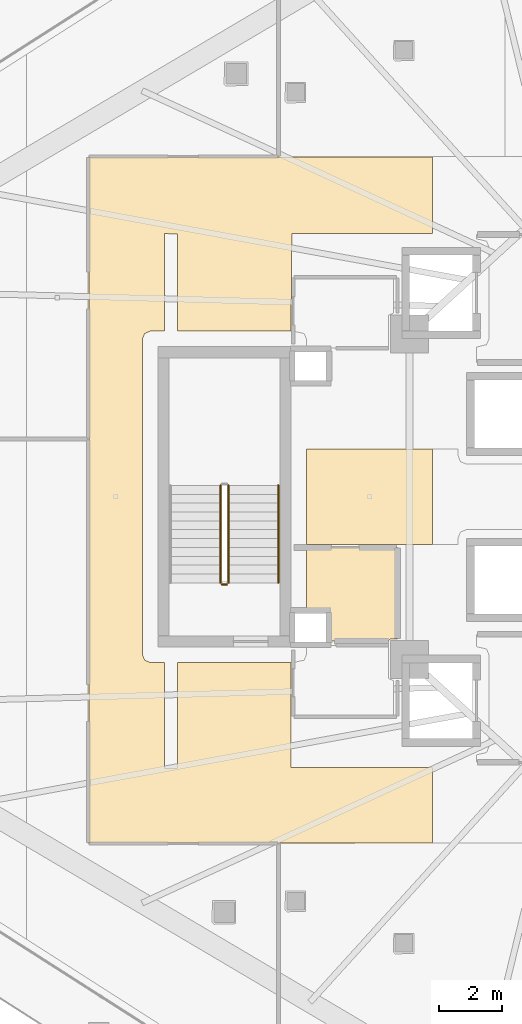
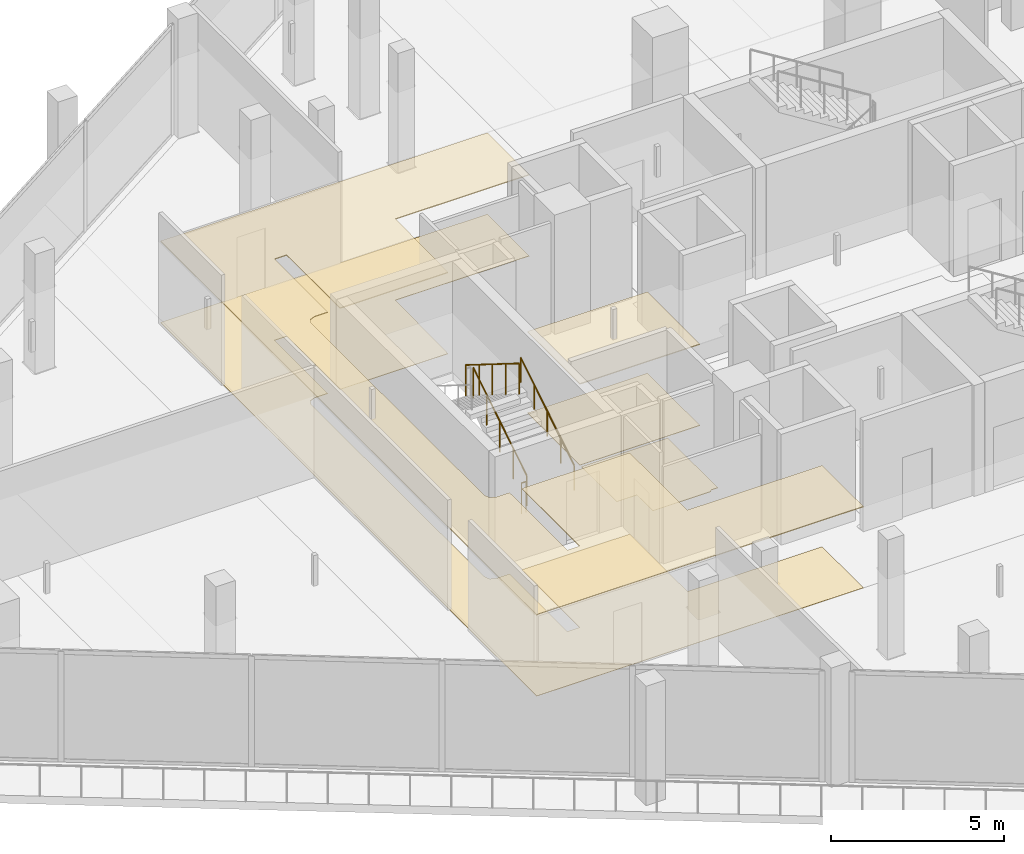
# One storey, part 38 of 45: 5 coverings, 4 railings.
"""IFC4 building model written with IfcOpenShell, lengths in metres."""

from ifc_helpers import new_model, si_unit, direction, frame, origin, origin_2d, place, context, subcontext, project, spatial, polyline, circle, outline, extrude, material, layer, layer_set, type_object, element, save


model = new_model("IFC4")

# Units and contexts
model_context = context("Model", 3, precision=1e-05, world=origin(), true_north=direction((0.0, 1.0)))
body_context = subcontext(model_context, "Body", "Model", "MODEL_VIEW")
ifc_project = project(units=[si_unit("LENGTHUNIT", "METRE"), si_unit("AREAUNIT", "SQUARE_METRE"), si_unit("VOLUMEUNIT", "CUBIC_METRE"), si_unit("PLANEANGLEUNIT", "RADIAN"), si_unit("MASSUNIT", "GRAM", prefix="KILO")], contexts=[model_context])

# Site, building, storey
site_placement = place(None, origin())
site = spatial("IfcSite", under=ifc_project, at=site_placement, CompositionType="ELEMENT")
building_placement = place(site_placement, origin())
building = spatial("IfcBuilding", under=site, at=building_placement, Name="Qorvath Tower", CompositionType="ELEMENT")
storey_placement = place(building_placement, frame((0.0, 0.0, 95.39990234375)))
storey = spatial("IfcBuildingStorey", under=building, at=storey_placement, Name="L21", CompositionType="ELEMENT", Elevation=95.39990234375)

# Coverings
ifc_material_1 = material(Name="Acoustic mineral fibre ceiling tile", Category="gypsum")
ifc_layer_1 = layer(ifc_material_1, 0.030029296875)
ifc_layer_set_1 = layer_set([ifc_layer_1], Name="COV-CEIL")
covering_type_1 = type_object("IfcCoveringType", Name="COV-CEIL", PredefinedType="CEILING", material=ifc_layer_set_1)
covering_1_placement = place(storey_placement, frame((0.0, 0.0, 2.85009765625)))
element("IfcCovering", 1, at=covering_1_placement, inside=storey, type_object=covering_type_1, Name="L21 Suspended Acoustic Ceiling 006", PredefinedType="CEILING", context=body_context, shape_type="SweptSolid", body=[
    extrude(outline(polyline([(-29.764892578125, -10.945068359375), (-29.764892578125, -8.564453125), (-34.25, -8.56494140625), (-34.2548828125, -5.239990234375), (-37.844970703125, -5.239990234375), (-37.844970703125, -8.580078125), (-38.2548828125, -8.580078125), (-38.2548828125, -5.239990234375), (-38.699951171875, -5.239990234375), (-38.876708984375, -5.166748046875), (-38.949951171875, -4.989990234375), (-38.949951171875, 4.989990234375), (-38.876708984375, 5.166748046875), (-38.699951171875, 5.239990234375), (-38.2548828125, 5.239990234375), (-38.25341796875, 8.323486328125), (-37.844970703125, 8.320068359375), (-37.844970703125, 5.239990234375), (-34.2509765625, 5.239990234375), (-34.219970703125, 8.324951171875), (-29.764892578125, 8.324951171875), (-29.764892578125, 10.74560546875), (-40.64501953125, 10.7451171875), (-40.64501953125, -10.945068359375), (-29.764892578125, -10.945068359375)])), origin(), (0.0, 0.0, 1.0), 0.030029296875),
])
covering_2_placement = place(storey_placement, frame((0.0, 0.0, 2.85009765625)))
element("IfcCovering", 2, at=covering_2_placement, inside=storey, type_object=covering_type_1, Name="L21 Suspended Acoustic Ceiling 007", PredefinedType="CEILING", context=body_context, shape_type="SweptSolid", body=[
    extrude(outline(polyline([(-29.764892578125, -1.514892578125), (-29.764892578125, 1.514892578125), (-33.760009765625, 1.514892578125), (-33.760009765625, -1.514892578125), (-29.764892578125, -1.514892578125)])), origin(), (0.0, 0.0, 1.0), 0.030029296875),
])
ifc_material_2 = material(Name="Low-VOC modular carpet tile", Category="textile")
ifc_layer_2 = layer(ifc_material_2, 0.014892578125)
ifc_layer_set_2 = layer_set([ifc_layer_2], Name="COV-FLOOR-CPT")
covering_type_2 = type_object("IfcCoveringType", Name="COV-FLOOR-CPT", PredefinedType="FLOORING", material=ifc_layer_set_2)
covering_3_placement = place(storey_placement, origin())
element("IfcCovering", 3, at=covering_3_placement, inside=storey, type_object=covering_type_2, Name="L21 Floor Finish 005", PredefinedType="FLOORING", context=body_context, shape_type="SweptSolid", body=[
    extrude(outline(polyline([(-30.885009765625, -4.489990234375), (-30.885009765625, -1.60498046875), (-33.760009765625, -1.60498046875), (-33.760009765625, -3.636962890625), (-33.08837890625, -3.638427734375), (-33.0869140625, -4.554931640625), (-31.159912109375, -4.554931640625), (-31.10009765625, -4.489990234375), (-30.885009765625, -4.489990234375)])), origin(), (0.0, 0.0, 1.0), 0.01513671875),
])
ifc_material_3 = material(Name="Polished epoxy terrazzo flooring", Category="concrete")
ifc_layer_3 = layer(ifc_material_3, 0.02001953125)
ifc_layer_set_3 = layer_set([ifc_layer_3], Name="COV-FLOOR-TRZ")
covering_type_3 = type_object("IfcCoveringType", Name="COV-FLOOR-TRZ", PredefinedType="FLOORING", material=ifc_layer_set_3)
covering_4_placement = place(storey_placement, origin())
element("IfcCovering", 4, at=covering_4_placement, inside=storey, type_object=covering_type_3, Name="L21 Floor Finish 006", PredefinedType="FLOORING", context=body_context, shape_type="SweptSolid", body=[
    extrude(outline(polyline([(-29.764892578125, -10.945068359375), (-29.764892578125, -8.564453125), (-34.25, -8.56494140625), (-34.2548828125, -5.239990234375), (-37.844970703125, -5.239990234375), (-37.844970703125, -8.580078125), (-38.2548828125, -8.580078125), (-38.2548828125, -5.239990234375), (-38.699951171875, -5.239990234375), (-38.876708984375, -5.166748046875), (-38.949951171875, -4.989990234375), (-38.949951171875, 4.989990234375), (-38.876708984375, 5.166748046875), (-38.699951171875, 5.239990234375), (-38.2548828125, 5.239990234375), (-38.25341796875, 8.323486328125), (-37.844970703125, 8.320068359375), (-37.844970703125, 5.239990234375), (-34.2509765625, 5.239990234375), (-34.219970703125, 8.324951171875), (-29.764892578125, 8.324951171875), (-29.764892578125, 10.74560546875), (-40.64501953125, 10.7451171875), (-40.64501953125, -10.945068359375), (-29.764892578125, -10.945068359375)])), origin(), (0.0, 0.0, 1.0), 0.01513671875),
])
covering_5_placement = place(storey_placement, origin())
element("IfcCovering", 5, at=covering_5_placement, inside=storey, type_object=covering_type_3, Name="L21 Floor Finish 007", PredefinedType="FLOORING", context=body_context, shape_type="SweptSolid", body=[
    extrude(outline(polyline([(-29.764892578125, -1.514892578125), (-29.764892578125, 1.514892578125), (-33.760009765625, 1.514892578125), (-33.760009765625, -1.514892578125), (-29.764892578125, -1.514892578125)])), origin(), (0.0, 0.0, 1.0), 0.01513671875),
])

# Railings
ifc_material_4 = material(Name="Painted galvanised steel", Category="steel")
railing_type_1 = type_object("IfcRailingType", Name="RL-STR-GRD", PredefinedType="GUARDRAIL", material=ifc_material_4)
railing_1_placement = place(storey_placement, frame((-36.22998046875, -2.719970703125, 0.175048828125)))
element("IfcRailing", 6, at=railing_1_placement, inside=storey, type_object=railing_type_1, Name="L21 TS3 stair guard 1", PredefinedType="GUARDRAIL", context=body_context, shape_type="SweptSolid", body=[
    extrude(circle(Radius=0.02392578125, at=origin_2d()), frame((0.0, 0.0, 1.076171875), z_axis=(0.0, 0.847998304005, 0.529998940003), x_axis=(-1.0, 0.0, 0.0)), (0.0, 0.0, 1.0), 3.632080078125),
    extrude(circle(Radius=0.02099609375, at=origin_2d()), origin(), (0.0, 0.0, 1.0), 1.052001953125),
    extrude(circle(Radius=0.02099609375, at=origin_2d()), frame((0.0, 0.77001953125, 0.481201171875)), (0.0, 0.0, 1.0), 1.052001953125),
    extrude(circle(Radius=0.02099609375, at=origin_2d()), frame((0.0, 1.5400390625, 0.96240234375)), (0.0, 0.0, 1.0), 1.052001953125),
    extrude(circle(Radius=0.02099609375, at=origin_2d()), frame((0.0, 2.31005859375, 1.44384765625)), (0.0, 0.0, 1.0), 1.052001953125),
    extrude(circle(Radius=0.02099609375, at=origin_2d()), frame((0.0, 3.080078125, 1.925048828125)), (0.0, 0.0, 1.0), 1.052001953125),
])
railing_2_placement = place(storey_placement, frame((-36.47998046875, 0.360107421875, 2.275146484375)))
element("IfcRailing", 7, at=railing_2_placement, inside=storey, type_object=railing_type_1, Name="L21 TS3 stair guard 3", PredefinedType="GUARDRAIL", context=body_context, shape_type="SweptSolid", body=[
    extrude(circle(Radius=0.02392578125, at=origin_2d()), frame((0.0, 0.0, 1.076171875), z_axis=(0.0, -0.847998304005, 0.529998940003), x_axis=(1.0, 0.0, 0.0)), (0.0, 0.0, 1.0), 3.632080078125),
    extrude(circle(Radius=0.02099609375, at=origin_2d()), origin(), (0.0, 0.0, 1.0), 1.052001953125),
    extrude(circle(Radius=0.02099609375, at=origin_2d()), frame((0.0, -0.77001953125, 0.481201171875)), (0.0, 0.0, 1.0), 1.052001953125),
    extrude(circle(Radius=0.02099609375, at=origin_2d()), frame((0.0, -1.5400390625, 0.96240234375)), (0.0, 0.0, 1.0), 1.052001953125),
    extrude(circle(Radius=0.02099609375, at=origin_2d()), frame((0.0, -2.31005859375, 1.44384765625)), (0.0, 0.0, 1.0), 1.052001953125),
    extrude(circle(Radius=0.02099609375, at=origin_2d()), frame((0.0, -3.080078125, 1.925048828125)), (0.0, 0.0, 1.0), 1.052001953125),
])
railing_3_placement = place(storey_placement, frame((-36.280029296875, -2.77001953125, 0.0)))
element("IfcRailing", 8, at=railing_3_placement, inside=storey, type_object=railing_type_1, Name="L21 TS3 stair guard 4", PredefinedType="GUARDRAIL", context=body_context, shape_type="SweptSolid", body=[
    extrude(circle(Radius=0.02392578125, at=origin_2d()), frame((0.0, 0.0, 1.076171875), z_axis=(-1.0, 0.0, 0.0), x_axis=(0.0, -1.0, 0.0)), (0.0, 0.0, 1.0), 0.14990234375),
    extrude(circle(Radius=0.02099609375, at=origin_2d()), origin(), (0.0, 0.0, 1.0), 1.052001953125),
    extrude(circle(Radius=0.02099609375, at=origin_2d()), frame((-0.14990234375, 0.0, 0.0)), (0.0, 0.0, 1.0), 1.052001953125),
])
ifc_material_5 = material(Name="Brushed stainless steel AISI 304", Category="steel")
railing_type_2 = type_object("IfcRailingType", Name="RL-STR-HND", PredefinedType="HANDRAIL", material=ifc_material_5)
railing_4_placement = place(storey_placement, frame((-34.64990234375, -2.719970703125, 0.175048828125)))
element("IfcRailing", 9, at=railing_4_placement, inside=storey, type_object=railing_type_2, Name="L21 TS3 stair handrail 1", PredefinedType="HANDRAIL", context=body_context, shape_type="SweptSolid", body=[
    extrude(circle(Radius=0.02392578125, at=origin_2d()), frame((0.0, 0.0, 0.8759765625), z_axis=(0.0, 0.847998304005, 0.529998940003), x_axis=(-1.0, 0.0, 0.0)), (0.0, 0.0, 1.0), 3.632080078125),
    extrude(circle(Radius=0.02099609375, at=origin_2d()), origin(), (0.0, 0.0, 1.0), 0.851806640625),
    extrude(circle(Radius=0.02099609375, at=origin_2d()), frame((0.0, 0.77001953125, 0.481201171875)), (0.0, 0.0, 1.0), 0.851806640625),
    extrude(circle(Radius=0.02099609375, at=origin_2d()), frame((0.0, 1.5400390625, 0.96240234375)), (0.0, 0.0, 1.0), 0.851806640625),
    extrude(circle(Radius=0.02099609375, at=origin_2d()), frame((0.0, 2.31005859375, 1.44384765625)), (0.0, 0.0, 1.0), 0.851806640625),
    extrude(circle(Radius=0.02099609375, at=origin_2d()), frame((0.0, 3.080078125, 1.925048828125)), (0.0, 0.0, 1.0), 0.851806640625),
])

save(model, "model.ifc")
